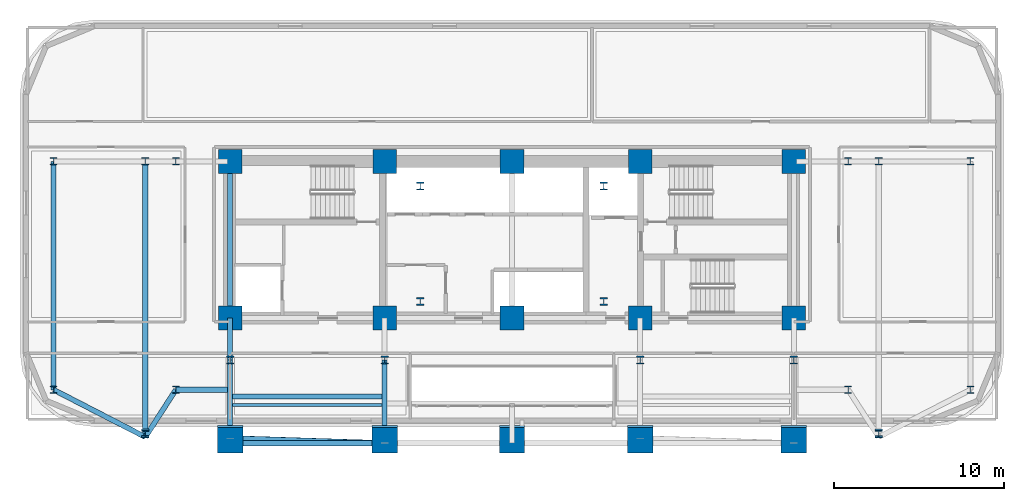
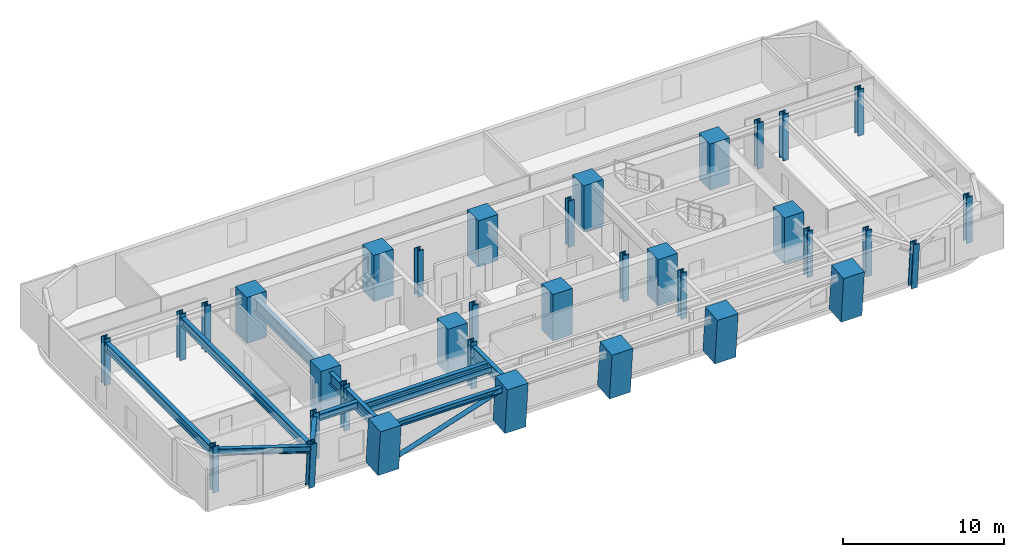
# One storey, part 1 of 14: 35 columns, 12 beams, 1 member.
"""IFC4 building model written with IfcOpenShell, lengths in metres."""

import ifcopenshell
import ifcopenshell.guid

model = None  # the IFC model being written
_history = None  # IfcOwnerHistory: only IFC2X3 demands one
_inside = {}  # id of a spatial element -> (the spatial element, [elements in it])
_under = {}  # id of a project, library or spatial element -> (it, [spatial elements below it])
_declared = {}  # id of a project -> (the project, [libraries it declares])
_typed = {}  # id of a type object -> (the type object, [elements of that type])
_made_of = {}  # id of a material, layer set ... -> (it, [elements and type objects made of it])


def new_model(schema):
    """Start an empty IFC model of exactly this schema.

    Asked for "IFC4X3", IfcOpenShell would pick the latest addendum, in which some entities
    have other attributes; the version numbers below select the first issue.
    IFC2X3 requires an IfcOwnerHistory on every rooted entity: one is made here for all.
    """
    global model, _history
    if schema == "IFC4X3":
        model = ifcopenshell.file(schema_version=(4, 3, 0, 0))
    else:
        model = ifcopenshell.file(schema=schema)
    _inside.clear()
    _under.clear()
    _declared.clear()
    _typed.clear()
    _made_of.clear()
    _history = None
    if model.schema == "IFC2X3":
        org = make("IfcOrganization", Name="unknown")
        user = make(
            "IfcPersonAndOrganization",
            ThePerson=make("IfcPerson", FamilyName="unknown"),
            TheOrganization=org,
        )
        app = make(
            "IfcApplication",
            ApplicationDeveloper=org,
            Version="unknown",
            ApplicationFullName="unknown",
            ApplicationIdentifier="unknown",
        )
        _history = make(
            "IfcOwnerHistory",
            OwningUser=user,
            OwningApplication=app,
            ChangeAction="ADDED",
            CreationDate=0,
        )
    return model


def make(cls, **values):
    """One entity of the class cls with the attributes given. An attribute that is None is left unset."""
    return model.create_entity(
        cls, **{name: value for name, value in values.items() if value is not None}
    )


def rooted(cls, **values):
    """An entity with a GlobalId (a new one), such as an element, a storey or a relation."""
    return make(cls, GlobalId=ifcopenshell.guid.new(), OwnerHistory=_history, **values)


def si_unit(unit_type, name, prefix=None):
    """IfcSIUnit, for example si_unit("LENGTHUNIT", "METRE", prefix="MILLI")."""
    return make("IfcSIUnit", UnitType=unit_type, Prefix=prefix, Name=name)


def assignment(units):
    """IfcUnitAssignment: the units of a project."""
    return None if units is None else make("IfcUnitAssignment", Units=units)


def point(xyz):
    """IfcCartesianPoint."""
    return None if xyz is None else make("IfcCartesianPoint", Coordinates=xyz)


def direction(xyz):
    """IfcDirection."""
    return None if xyz is None else make("IfcDirection", DirectionRatios=xyz)


def frame(location, z_axis=None, x_axis=None):
    """IfcAxis2Placement3D, a coordinate frame: its origin and axes. An axis left out is left unset."""
    return make(
        "IfcAxis2Placement3D",
        Location=point(location),
        Axis=direction(z_axis),
        RefDirection=direction(x_axis),
    )


def frame_2d(location, x_axis=None):
    """IfcAxis2Placement2D, a coordinate frame in the plane: its origin and x axis."""
    return make(
        "IfcAxis2Placement2D", Location=point(location), RefDirection=direction(x_axis)
    )


def origin():
    """The frame at (0, 0, 0) with its axes left unset."""
    return frame((0.0, 0.0, 0.0))


def origin_2d():
    """The frame at (0, 0) in the plane with its x axis left unset."""
    return frame_2d((0.0, 0.0))


def place(relative_to, where):
    """IfcLocalPlacement: puts the frame where relative to a parent placement (None: the world)."""
    return make(
        "IfcLocalPlacement", PlacementRelTo=relative_to, RelativePlacement=where
    )


def context(
    kind, dimensions, precision=None, world=None, true_north=None, identifier=None
):
    """IfcGeometricRepresentationContext, for example the 3D "Model" context."""
    return make(
        "IfcGeometricRepresentationContext",
        ContextIdentifier=identifier,
        ContextType=kind,
        CoordinateSpaceDimension=dimensions,
        Precision=precision,
        WorldCoordinateSystem=world,
        TrueNorth=true_north,
    )


def subcontext(parent, identifier, kind, view, scale=None):
    """IfcGeometricRepresentationSubContext, for example "Body" below "Model"."""
    return make(
        "IfcGeometricRepresentationSubContext",
        ContextIdentifier=identifier,
        ContextType=kind,
        ParentContext=parent,
        TargetScale=scale,
        TargetView=view,
    )


def project(units=None, contexts=None):
    """IfcProject with its units and contexts."""
    return rooted(
        "IfcProject",
        Name="project",
        RepresentationContexts=contexts,
        UnitsInContext=assignment(units),
    )


def spatial(cls, under=None, at=None, **own):
    """A site, building, storey or space (cls), placed at a placement, below another one or the project."""
    s = rooted(cls, ObjectPlacement=at, **own)
    if under is not None:
        _under.setdefault(under.id(), (under, []))[1].append(s)
    return s


def profile(cls, at=None, kind="AREA", **sizes):
    """A parametric profile (cls). Its sizes go by their IFC names, for example OverallWidth=200.0."""
    return make(cls, ProfileType=kind, Position=at, **sizes)


def rectangle(**sizes):
    """IfcRectangleProfileDef."""
    return profile("IfcRectangleProfileDef", **sizes)


def hollow_circle(**sizes):
    """IfcCircleHollowProfileDef."""
    return profile("IfcCircleHollowProfileDef", **sizes)


def i_section(**sizes):
    """IfcIShapeProfileDef."""
    return profile("IfcIShapeProfileDef", **sizes)


def extrude(swept, where, along, depth):
    """IfcExtrudedAreaSolid: the profile swept, set in the frame where, extruded along a direction by depth."""
    return make(
        "IfcExtrudedAreaSolid",
        SweptArea=swept,
        Position=where,
        ExtrudedDirection=direction(along),
        Depth=depth,
    )


def shape(context_of_items, identifier, shape_type, items):
    """IfcShapeRepresentation: the items that make up one representation, for example the "Body"."""
    return make(
        "IfcShapeRepresentation",
        ContextOfItems=context_of_items,
        RepresentationIdentifier=identifier,
        RepresentationType=shape_type,
        Items=items,
    )


def material(Name=None, Category=None):
    """IfcMaterial."""
    return make("IfcMaterial", Name=Name, Category=Category)


def material_profile(
    of_material, cross_section, Name=None, Category=None, Priority=None
):
    """IfcMaterialProfile: a cross section and its material."""
    return make(
        "IfcMaterialProfile",
        Name=Name,
        Material=of_material,
        Profile=cross_section,
        Priority=Priority,
        Category=Category,
    )


def profile_set(profiles, Name=None, composite=None):
    """IfcMaterialProfileSet."""
    return make(
        "IfcMaterialProfileSet",
        Name=Name,
        MaterialProfiles=profiles,
        CompositeProfile=composite,
    )


def made_of(thing, what):
    """Note that an element or type object is made of a material, layer set ...; save() writes the relation."""
    if what is not None:
        _made_of.setdefault(what.id(), (what, []))[1].append(thing)
    return thing


def type_object(cls, material=None, **own):
    """A type object (cls), such as IfcWallType, which elements share."""
    return made_of(rooted(cls, **own), material)


def element(
    cls,
    number,
    at=None,
    inside=None,
    cuts=None,
    type_object=None,
    material=None,
    context=None,
    identifier="Body",
    shape_type=None,
    held_by="IfcProductDefinitionShape",
    body=None,
    shapes=None,
    **own,
):
    """One element of the class cls, such as IfcWall. Its Tag is "e" and its number.

    at: its placement. inside: the storey or other place that contains it. cuts: it is an
    opening in that element (IfcRelVoidsElement). A single representation is given by context,
    identifier, shape_type and body (its items); several are given by shapes. held_by: the class
    of the entity that holds the representations. save() writes the other relations.
    """
    e = rooted(cls, Tag="e%d" % number, ObjectPlacement=at, **own)
    if body is not None:
        shapes = [shape(context, identifier, shape_type, body)]
    if shapes is not None:
        e.Representation = make(held_by, Representations=shapes)
    if inside is not None:
        _inside.setdefault(inside.id(), (inside, []))[1].append(e)
    if cuts is not None:
        rooted(
            "IfcRelVoidsElement", RelatingBuildingElement=cuts, RelatedOpeningElement=e
        )
    if type_object is not None:
        _typed.setdefault(type_object.id(), (type_object, []))[1].append(e)
    return made_of(e, material)


def aggregate(whole, parts):
    """IfcRelAggregates: a whole, such as a stair, and the parts it consists of."""
    return rooted("IfcRelAggregates", RelatingObject=whole, RelatedObjects=parts)


def save(model, path):
    """Write the relations noted so far, then the file.

    IfcRelAggregates (storeys below a building ...), IfcRelContainedInSpatialStructure (elements
    in a storey), IfcRelDefinesByType, IfcRelAssociatesMaterial and IfcRelDeclares: one each for
    every whole, place, type object, material and project.
    """
    for whole, parts in _under.values():
        aggregate(whole, parts)
    for where, things in _inside.values():
        rooted(
            "IfcRelContainedInSpatialStructure",
            RelatedElements=things,
            RelatingStructure=where,
        )
    for kind, things in _typed.values():
        rooted("IfcRelDefinesByType", RelatedObjects=things, RelatingType=kind)
    for what, things in _made_of.values():
        rooted("IfcRelAssociatesMaterial", RelatedObjects=things, RelatingMaterial=what)
    for by, libraries in _declared.values():
        rooted("IfcRelDeclares", RelatingContext=by, RelatedDefinitions=libraries)
    model.write(path)


model = new_model("IFC4")

# Units and contexts
model_context = context("Model", 3, precision=1e-05, world=origin(), true_north=direction((0.0, 1.0)))
body_context = subcontext(model_context, "Body", "Model", "MODEL_VIEW")
ifc_project = project(units=[si_unit("LENGTHUNIT", "METRE"), si_unit("AREAUNIT", "SQUARE_METRE"), si_unit("VOLUMEUNIT", "CUBIC_METRE"), si_unit("PLANEANGLEUNIT", "RADIAN"), si_unit("MASSUNIT", "GRAM", prefix="KILO")], contexts=[model_context])

# Site, building, storey
site_placement = place(None, origin())
site = spatial("IfcSite", under=ifc_project, at=site_placement, CompositionType="ELEMENT")
building_placement = place(site_placement, origin())
building = spatial("IfcBuilding", under=site, at=building_placement, Name="Zarnavel Station Tower", CompositionType="ELEMENT")
storey_placement = place(building_placement, frame((0.0, 0.0, 60.5)))
storey = spatial("IfcBuildingStorey", under=building, at=storey_placement, Name="L16", CompositionType="ELEMENT", Elevation=60.5)

# Columns
ifc_material_1 = material(Name="Steel S460M", Category="steel")
ifc_material_profile_1 = material_profile(ifc_material_1, i_section(OverallWidth=0.424072265625, OverallDepth=0.449951171875, WebThickness=0.041015625, FlangeThickness=0.06494140625, FilletRadius=0.014892578125, at=origin_2d()), Name="HD400x509")
ifc_profile_set_1 = profile_set([ifc_material_profile_1], Name="Steel S460M")
column_type_1 = type_object("IfcColumnType", Name="EC_HD509", PredefinedType="COLUMN", material=ifc_profile_set_1)
for number, where, z_axis, x_axis, name in (
    (1, (1.800048828125, 23.60009765625, 0.0), (0.0, 0.0, 1.0), (1.0, 0.0, 0.0), "L16 Outer Wing South Column 1"),
    (2, (1.800048828125, 37.050048828125, 0.0), (0.0, 0.0, 1.0), (1.0, 0.0, 0.0), "L16 Outer Wing North Column 1"),
):
    element("IfcColumn", number, at=place(storey_placement, frame(where, z_axis=z_axis, x_axis=x_axis)), inside=storey, type_object=column_type_1, Name=name, PredefinedType="COLUMN", context=body_context, shape_type="SweptSolid", body=[
        extrude(i_section(OverallWidth=0.424072265625, OverallDepth=0.449951171875, WebThickness=0.041015625, FlangeThickness=0.06494140625, FilletRadius=0.014892578125, at=origin_2d()), origin(), (0.0, 0.0, 1.0), 3.5),
    ])
for number, where, z_axis, x_axis, name in (
    (3, (7.199951171875, 21.0751953125, 0.0), (0.0, -0.079822602517, 0.996809085095), (1.0, 0.0, 0.0), "L16 Raked Wing Column 2"),
    (4, (50.39990234375, 21.0751953125, 0.0), (0.0, -0.079822602517, 0.996809085095), (1.0, 0.0, 0.0), "L16 Raked Wing Column 3"),
):
    element("IfcColumn", number, at=place(storey_placement, frame(where, z_axis=z_axis, x_axis=x_axis)), inside=storey, type_object=column_type_1, Name=name, PredefinedType="COLUMN", context=body_context, shape_type="SweptSolid", body=[
        extrude(i_section(OverallWidth=0.424072265625, OverallDepth=0.449951171875, WebThickness=0.041015625, FlangeThickness=0.06494140625, FilletRadius=0.014892578125, at=origin_2d()), origin(), (0.0, 0.0, 1.0), 3.51123046875),
    ])
for number, where, z_axis, x_axis, name in (
    (5, (55.800048828125, 23.60009765625, 0.0), (0.0, 0.0, 1.0), (1.0, 0.0, 0.0), "L16 Outer Wing South Column 4"),
    (6, (55.800048828125, 37.050048828125, 0.0), (0.0, 0.0, 1.0), (1.0, 0.0, 0.0), "L16 Outer Wing North Column 4"),
):
    element("IfcColumn", number, at=place(storey_placement, frame(where, z_axis=z_axis, x_axis=x_axis)), inside=storey, type_object=column_type_1, Name=name, PredefinedType="COLUMN", context=body_context, shape_type="SweptSolid", body=[
        extrude(i_section(OverallWidth=0.424072265625, OverallDepth=0.449951171875, WebThickness=0.041015625, FlangeThickness=0.06494140625, FilletRadius=0.014892578125, at=origin_2d()), origin(), (0.0, 0.0, 1.0), 3.5),
    ])
ifc_material_2 = material(Name="Steel S460M", Category="steel")
ifc_material_profile_2 = material_profile(ifc_material_2, i_section(OverallWidth=0.424072265625, OverallDepth=0.449951171875, WebThickness=0.041015625, FlangeThickness=0.06494140625, FilletRadius=0.014892578125, at=origin_2d()), Name="HD400x509")
ifc_profile_set_2 = profile_set([ifc_material_profile_2], Name="Steel S460M")
column_type_2 = type_object("IfcColumnType", Name="IC_HD509", PredefinedType="COLUMN", material=ifc_profile_set_2)
for number, where, z_axis, x_axis, name in (
    (7, (23.39990234375, 28.800048828125, 0.0), (0.0, 0.0, 1.0), (1.0, 0.0, 0.0), "L16 Mast Spine Column 1"),
    (8, (34.199951171875, 28.800048828125, 0.0), (0.0, 0.0, 1.0), (1.0, 0.0, 0.0), "L16 Mast Spine Column 2"),
    (9, (34.199951171875, 35.60009765625, 0.0), (0.0, 0.0, 1.0), (1.0, 0.0, 0.0), "L16 Mast Spine Column 3"),
    (10, (23.39990234375, 35.60009765625, 0.0), (0.0, 0.0, 1.0), (1.0, 0.0, 0.0), "L16 Mast Spine Column 4"),
    (11, (12.199951171875, 25.35009765625, 0.0), (0.0, 0.0, 1.0), (1.0, 0.0, 0.0), "L16 Inner Spine Column 1"),
    (12, (21.300048828125, 25.35009765625, 0.0), (0.0, 0.0, 1.0), (1.0, 0.0, 0.0), "L16 Inner Spine Column 2"),
    (13, (36.35009765625, 25.35009765625, 0.0), (0.0, 0.0, 1.0), (1.0, 0.0, 0.0), "L16 Inner Spine Column 4"),
    (14, (45.39990234375, 25.35009765625, 0.0), (0.0, 0.0, 1.0), (1.0, 0.0, 0.0), "L16 Inner Spine Column 5"),
    (15, (9.0, 23.60009765625, 0.0), (0.0, 0.0, 1.0), (1.0, 0.0, 0.0), "L16 Inner Wing Spine Column 1-1"),
    (16, (9.0, 37.050048828125, 0.0), (0.0, 0.0, 1.0), (1.0, 0.0, 0.0), "L16 Inner Wing Spine Column 1-2"),
    (17, (48.60009765625, 23.60009765625, 0.0), (0.0, 0.0, 1.0), (1.0, 0.0, 0.0), "L16 Inner Wing Spine Column 2-1"),
    (18, (48.60009765625, 37.050048828125, 0.0), (0.0, 0.0, 1.0), (1.0, 0.0, 0.0), "L16 Inner Wing Spine Column 2-2"),
    (19, (7.199951171875, 37.050048828125, 0.0), (0.0, 0.0, 1.0), (1.0, 0.0, 0.0), "L16 Outer Wing North Column 2"),
    (20, (50.39990234375, 37.050048828125, 0.0), (0.0, 0.0, 1.0), (1.0, 0.0, 0.0), "L16 Outer Wing North Column 3"),
):
    element("IfcColumn", number, at=place(storey_placement, frame(where, z_axis=z_axis, x_axis=x_axis)), inside=storey, type_object=column_type_2, Name=name, PredefinedType="COLUMN", context=body_context, shape_type="SweptSolid", body=[
        extrude(i_section(OverallWidth=0.424072265625, OverallDepth=0.449951171875, WebThickness=0.041015625, FlangeThickness=0.06494140625, FilletRadius=0.014892578125, at=origin_2d()), origin(), (0.0, 0.0, 1.0), 3.5),
    ])
ifc_material_3 = material(Name="Concrete C60/75", Category="concrete")
ifc_material_profile_3 = material_profile(ifc_material_3, rectangle(XDim=1.39990234375, YDim=1.39990234375, at=origin_2d()), Name="RC1400x1400")
ifc_profile_set_3 = profile_set([ifc_material_profile_3], Name="Concrete C60/75")
column_type_3 = type_object("IfcColumnType", Name="IC_RC1400", PredefinedType="COLUMN", material=ifc_profile_set_3)
for number, where, z_axis, x_axis, name in (
    (21, (12.199951171875, 27.820068359375, 0.0), (0.0, 0.0, 1.0), (1.0, 0.0, 0.0), "L16 Core Spine Column 1-1"),
    (22, (12.199951171875, 37.050048828125, 0.0), (0.0, 0.0, 1.0), (1.0, 0.0, 0.0), "L16 Core Spine Column 1-2"),
    (23, (21.300048828125, 27.820068359375, 0.0), (0.0, 0.0, 1.0), (1.0, 0.0, 0.0), "L16 Core Spine Column 2-1"),
    (24, (21.300048828125, 37.050048828125, 0.0), (0.0, 0.0, 1.0), (1.0, 0.0, 0.0), "L16 Core Spine Column 2-2"),
    (25, (28.800048828125, 27.820068359375, 0.0), (0.0, 0.0, 1.0), (1.0, 0.0, 0.0), "L16 Core Spine Column 3-1"),
    (26, (28.800048828125, 37.050048828125, 0.0), (0.0, 0.0, 1.0), (1.0, 0.0, 0.0), "L16 Core Spine Column 3-2"),
    (27, (36.35009765625, 27.820068359375, 0.0), (0.0, 0.0, 1.0), (1.0, 0.0, 0.0), "L16 Core Spine Column 4-1"),
    (28, (36.35009765625, 37.050048828125, 0.0), (0.0, 0.0, 1.0), (1.0, 0.0, 0.0), "L16 Core Spine Column 4-2"),
    (29, (45.39990234375, 27.820068359375, 0.0), (0.0, 0.0, 1.0), (1.0, 0.0, 0.0), "L16 Core Spine Column 5-1"),
    (30, (45.39990234375, 37.050048828125, 0.0), (0.0, 0.0, 1.0), (1.0, 0.0, 0.0), "L16 Core Spine Column 5-2"),
):
    element("IfcColumn", number, at=place(storey_placement, frame(where, z_axis=z_axis, x_axis=x_axis)), inside=storey, type_object=column_type_3, Name=name, PredefinedType="COLUMN", context=body_context, shape_type="SweptSolid", body=[
        extrude(rectangle(XDim=1.39990234375, YDim=1.39990234375, at=origin_2d()), origin(), (0.0, 0.0, 1.0), 3.5),
    ])
ifc_material_4 = material(Name="Concrete C60/75", Category="concrete")
ifc_material_profile_4 = material_profile(ifc_material_4, rectangle(XDim=1.5, YDim=1.5, at=origin_2d()), Name="RC1500x1500")
ifc_profile_set_4 = profile_set([ifc_material_profile_4], Name="Concrete C60/75")
column_type_4 = type_object("IfcColumnType", Name="MC_RC1500", PredefinedType="COLUMN", material=ifc_profile_set_4)
for number, where, z_axis, x_axis, name in (
    (31, (12.199951171875, 20.74560546875, 0.0), (0.0, -0.090310252801, 0.995913680114), (1.0, 0.0, 0.0), "L16 Raked South Mega-Column 1"),
    (32, (21.300048828125, 20.74560546875, 0.0), (0.0, -0.090310252801, 0.995913680114), (1.0, 0.0, 0.0), "L16 Raked South Mega-Column 2"),
    (33, (28.800048828125, 20.74560546875, 0.0), (0.0, -0.090310252801, 0.995913680114), (1.0, 0.0, 0.0), "L16 Raked South Mega-Column 3"),
    (34, (36.35009765625, 20.74560546875, 0.0), (0.0, -0.090310252801, 0.995913680114), (1.0, 0.0, 0.0), "L16 Raked South Mega-Column 4"),
    (35, (45.39990234375, 20.74560546875, 0.0), (0.0, -0.090310252801, 0.995913680114), (1.0, 0.0, 0.0), "L16 Raked South Mega-Column 5"),
):
    element("IfcColumn", number, at=place(storey_placement, frame(where, z_axis=z_axis, x_axis=x_axis)), inside=storey, type_object=column_type_4, Name=name, PredefinedType="COLUMN", context=body_context, shape_type="SweptSolid", body=[
        extrude(rectangle(XDim=1.5, YDim=1.5, at=origin_2d()), origin(), (0.0, 0.0, 1.0), 3.514404296875),
    ])

# Member
ifc_material_5 = material(Name="Steel S355J2", Category="steel")
ifc_material_profile_5 = material_profile(ifc_material_5, hollow_circle(Radius=0.161865234375, WallThickness=0.012451171875, at=origin_2d()), Name="CHS323.9x12.5")
ifc_profile_set_5 = profile_set([ifc_material_profile_5], Name="Steel S355J2")
member_type = type_object("IfcMemberType", Name="DB_EXT_CHS324", PredefinedType="BRACE", material=ifc_profile_set_5)
member_placement = place(storey_placement, frame((12.199951171875, 20.74560546875, 0.0), z_axis=(0.941635675338, -0.030390827854, 0.335259082669), x_axis=(0.032257711549, 0.999479584607, 0.0)))
element("IfcMember", 36, at=member_placement, inside=storey, type_object=member_type, Name="L16 Persian Exterior Diagonal Frame Brace 1", PredefinedType="BRACE", context=body_context, shape_type="SweptSolid", body=[
    extrude(hollow_circle(Radius=0.161865234375, WallThickness=0.012451171875, at=origin_2d()), origin(), (0.0, 0.0, 1.0), 9.6640625),
])

# Beams
ifc_material_6 = material(Name="Steel S355J2", Category="steel")
ifc_material_profile_6 = material_profile(ifc_material_6, i_section(OverallWidth=0.300048828125, OverallDepth=0.39990234375, WebThickness=0.013427734375, FlangeThickness=0.02392578125, FilletRadius=0.027099609375, at=origin_2d()), Name="HEB400")
ifc_profile_set_6 = profile_set([ifc_material_profile_6], Name="Steel S355J2")
beam_type_1 = type_object("IfcBeamType", Name="EB_HEB400", PredefinedType="SPANDREL", material=ifc_profile_set_6)
beam_1_placement = place(storey_placement, frame((12.199951171875, 20.451904296875, 3.0400390625), z_axis=(1.0, 0.0, 0.0), x_axis=(0.0, 1.0, 0.0)))
element("IfcBeam", 37, at=beam_1_placement, inside=storey, type_object=beam_type_1, Name="L16 South Raked Spandrel 1", PredefinedType="SPANDREL", context=body_context, shape_type="SweptSolid", body=[
    extrude(i_section(OverallWidth=0.300048828125, OverallDepth=0.39990234375, WebThickness=0.013427734375, FlangeThickness=0.02392578125, FilletRadius=0.027099609375, at=origin_2d()), origin(), (0.0, 0.0, 1.0), 9.10009765625),
])
ifc_material_7 = material(Name="Steel S355J2", Category="steel")
ifc_material_profile_7 = material_profile(ifc_material_7, i_section(OverallWidth=0.300048828125, OverallDepth=0.43994140625, WebThickness=0.011474609375, FlangeThickness=0.02099609375, FilletRadius=0.027099609375, at=origin_2d()), Name="HEA450")
ifc_profile_set_7 = profile_set([ifc_material_profile_7], Name="Steel S355J2")
beam_type_2 = type_object("IfcBeamType", Name="FB_HEA450", PredefinedType="BEAM", material=ifc_profile_set_7)
beam_2_placement = place(storey_placement, frame((12.344970703125, 23.20068359375, 3.02001953125), z_axis=(1.0, 0.0, 0.0), x_axis=(0.0, 1.0, 0.0)))
element("IfcBeam", 38, at=beam_2_placement, inside=storey, type_object=beam_type_2, Name="L16 West Bay Beam 2", PredefinedType="BEAM", context=body_context, shape_type="SweptSolid", body=[
    extrude(i_section(OverallWidth=0.300048828125, OverallDepth=0.43994140625, WebThickness=0.011474609375, FlangeThickness=0.02099609375, FilletRadius=0.027099609375, at=origin_2d()), origin(), (0.0, 0.0, 1.0), 8.81005859375),
])
ifc_material_8 = material(Name="Steel S355J2", Category="steel")
ifc_material_profile_8 = material_profile(ifc_material_8, i_section(OverallWidth=0.18994140625, OverallDepth=0.449951171875, WebThickness=0.009521484375, FlangeThickness=0.0146484375, FilletRadius=0.02099609375, at=origin_2d()), Name="IPE450")
ifc_profile_set_8 = profile_set([ifc_material_profile_8], Name="Steel S355J2")
beam_type_3 = type_object("IfcBeamType", Name="FB_IPE450", PredefinedType="BEAM", material=ifc_profile_set_8)
beam_3_placement = place(storey_placement, frame((12.344970703125, 22.701416015625, 3.014892578125), z_axis=(1.0, 0.0, 0.0), x_axis=(0.0, 1.0, 0.0)))
element("IfcBeam", 39, at=beam_3_placement, inside=storey, type_object=beam_type_3, Name="L16 West Bay Beam 1", PredefinedType="BEAM", context=body_context, shape_type="SweptSolid", body=[
    extrude(i_section(OverallWidth=0.18994140625, OverallDepth=0.449951171875, WebThickness=0.009521484375, FlangeThickness=0.0146484375, FilletRadius=0.02099609375, at=origin_2d()), origin(), (0.0, 0.0, 1.0), 8.81005859375),
])
ifc_material_9 = material(Name="Steel S355J2", Category="steel")
ifc_material_profile_9 = material_profile(ifc_material_9, i_section(OverallWidth=0.300048828125, OverallDepth=0.5, WebThickness=0.014404296875, FlangeThickness=0.028076171875, FilletRadius=0.027099609375, at=origin_2d()), Name="HEB500")
ifc_profile_set_9 = profile_set([ifc_material_profile_9], Name="Steel S355J2")
beam_type_4 = type_object("IfcBeamType", Name="FG_HEB500", PredefinedType="USERDEFINED", material=ifc_profile_set_9)
beam_4_placement = place(storey_placement, frame((1.800048828125, 23.60009765625, 2.989990234375), z_axis=(0.888796517723, -0.458302029326, 0.0), x_axis=(0.458302029326, 0.888796517723, 0.0)))
element("IfcBeam", 40, at=beam_4_placement, inside=storey, type_object=beam_type_4, Name="L16 West Wing South Tie 1", ObjectType="GIRDER", PredefinedType="USERDEFINED", context=body_context, shape_type="SweptSolid", body=[
    extrude(i_section(OverallWidth=0.300048828125, OverallDepth=0.5, WebThickness=0.014404296875, FlangeThickness=0.028076171875, FilletRadius=0.027099609375, at=origin_2d()), origin(), (0.0, 0.0, 1.0), 6.075439453125),
])
beam_5_placement = place(storey_placement, frame((7.199951171875, 20.815673828125, 2.989990234375), z_axis=(0.542903176325, 0.839795297163, 0.0), x_axis=(-0.839795297163, 0.542903176325, 0.0)))
element("IfcBeam", 41, at=beam_5_placement, inside=storey, type_object=beam_type_4, Name="L16 West Wing South Tie 2", ObjectType="GIRDER", PredefinedType="USERDEFINED", context=body_context, shape_type="SweptSolid", body=[
    extrude(i_section(OverallWidth=0.300048828125, OverallDepth=0.5, WebThickness=0.014404296875, FlangeThickness=0.028076171875, FilletRadius=0.027099609375, at=origin_2d()), origin(), (0.0, 0.0, 1.0), 3.315673828125),
])
beam_6_placement = place(storey_placement, frame((9.0, 23.60009765625, 2.989990234375), z_axis=(1.0, 0.0, 0.0), x_axis=(0.0, 1.0, 0.0)))
element("IfcBeam", 42, at=beam_6_placement, inside=storey, type_object=beam_type_4, Name="L16 West Wing South Tie 3", ObjectType="GIRDER", PredefinedType="USERDEFINED", context=body_context, shape_type="SweptSolid", body=[
    extrude(i_section(OverallWidth=0.300048828125, OverallDepth=0.5, WebThickness=0.014404296875, FlangeThickness=0.028076171875, FilletRadius=0.027099609375, at=origin_2d()), origin(), (0.0, 0.0, 1.0), 3.054931640625),
])
ifc_material_10 = material(Name="Steel S355J2", Category="steel")
ifc_material_profile_10 = material_profile(ifc_material_10, i_section(OverallWidth=0.300048828125, OverallDepth=0.64990234375, WebThickness=0.01611328125, FlangeThickness=0.031005859375, FilletRadius=0.027099609375, at=origin_2d()), Name="HEB650")
ifc_profile_set_10 = profile_set([ifc_material_profile_10], Name="Steel S355J2")
beam_type_5 = type_object("IfcBeamType", Name="FG_HEB650", PredefinedType="USERDEFINED", material=ifc_profile_set_10)
beam_7_placement = place(storey_placement, frame((1.800048828125, 23.60009765625, 2.9150390625), z_axis=(0.0, 1.0, 0.0), x_axis=(-1.0, 0.0, 0.0)))
element("IfcBeam", 43, at=beam_7_placement, inside=storey, type_object=beam_type_5, Name="L16 Wing NS Girder 1", ObjectType="GIRDER", PredefinedType="USERDEFINED", context=body_context, shape_type="SweptSolid", body=[
    extrude(i_section(OverallWidth=0.300048828125, OverallDepth=0.64990234375, WebThickness=0.01611328125, FlangeThickness=0.031005859375, FilletRadius=0.027099609375, at=origin_2d()), origin(), (0.0, 0.0, 1.0), 13.449951171875),
])
beam_8_placement = place(storey_placement, frame((7.199951171875, 20.815673828125, 2.9150390625), z_axis=(0.0, 1.0, 0.0), x_axis=(-1.0, 0.0, 0.0)))
element("IfcBeam", 44, at=beam_8_placement, inside=storey, type_object=beam_type_5, Name="L16 Wing NS Girder 2", ObjectType="GIRDER", PredefinedType="USERDEFINED", context=body_context, shape_type="SweptSolid", body=[
    extrude(i_section(OverallWidth=0.300048828125, OverallDepth=0.64990234375, WebThickness=0.01611328125, FlangeThickness=0.031005859375, FilletRadius=0.027099609375, at=origin_2d()), origin(), (0.0, 0.0, 1.0), 16.234375),
])
ifc_material_11 = material(Name="Steel S460M", Category="steel")
ifc_material_profile_11 = material_profile(ifc_material_11, i_section(OverallWidth=0.302001953125, OverallDepth=1.008056640625, WebThickness=0.02099609375, FlangeThickness=0.0400390625, FilletRadius=0.030029296875, at=origin_2d()), Name="HEM1000")
ifc_profile_set_11 = profile_set([ifc_material_profile_11], Name="Steel S460M")
beam_type_6 = type_object("IfcBeamType", Name="TG_HEM1000", PredefinedType="USERDEFINED", material=ifc_profile_set_11)
beam_9_placement = place(storey_placement, frame((12.199951171875, 27.820068359375, 2.736083984375), z_axis=(0.0, 1.0, 0.0), x_axis=(-1.0, 0.0, 0.0)))
element("IfcBeam", 45, at=beam_9_placement, inside=storey, type_object=beam_type_6, Name="L16 Core Spine Coupling Girder 1", ObjectType="GIRDER", PredefinedType="USERDEFINED", context=body_context, shape_type="SweptSolid", body=[
    extrude(i_section(OverallWidth=0.302001953125, OverallDepth=1.008056640625, WebThickness=0.02099609375, FlangeThickness=0.0400390625, FilletRadius=0.030029296875, at=origin_2d()), origin(), (0.0, 0.0, 1.0), 9.22998046875),
])
ifc_material_12 = material(Name="Steel S460M", Category="steel")
ifc_material_profile_12 = material_profile(ifc_material_12, i_section(OverallWidth=0.302001953125, OverallDepth=0.909912109375, WebThickness=0.02099609375, FlangeThickness=0.0400390625, FilletRadius=0.030029296875, at=origin_2d()), Name="HEM900")
ifc_profile_set_12 = profile_set([ifc_material_profile_12], Name="Steel S460M")
beam_type_7 = type_object("IfcBeamType", Name="TG_HEM900", PredefinedType="USERDEFINED", material=ifc_profile_set_12)
beam_10_placement = place(storey_placement, frame((12.199951171875, 20.451904296875, 2.784912109375), z_axis=(0.0, 1.0, 0.0), x_axis=(-1.0, 0.0, 0.0)))
element("IfcBeam", 46, at=beam_10_placement, inside=storey, type_object=beam_type_7, Name="L16 South-Zone NS Girder 1", ObjectType="GIRDER", PredefinedType="USERDEFINED", context=body_context, shape_type="SweptSolid", body=[
    extrude(i_section(OverallWidth=0.302001953125, OverallDepth=0.909912109375, WebThickness=0.02099609375, FlangeThickness=0.0400390625, FilletRadius=0.030029296875, at=origin_2d()), origin(), (0.0, 0.0, 1.0), 4.898193359375),
])
beam_11_placement = place(storey_placement, frame((12.199951171875, 25.35009765625, 2.784912109375), z_axis=(0.0, 1.0, 0.0), x_axis=(-1.0, 0.0, 0.0)))
element("IfcBeam", 47, at=beam_11_placement, inside=storey, type_object=beam_type_7, Name="L16 Inner-Zone NS Girder 1", ObjectType="GIRDER", PredefinedType="USERDEFINED", context=body_context, shape_type="SweptSolid", body=[
    extrude(i_section(OverallWidth=0.302001953125, OverallDepth=0.909912109375, WebThickness=0.02099609375, FlangeThickness=0.0400390625, FilletRadius=0.030029296875, at=origin_2d()), origin(), (0.0, 0.0, 1.0), 2.469970703125),
])
beam_12_placement = place(storey_placement, frame((21.300048828125, 20.451904296875, 2.784912109375), z_axis=(0.0, 1.0, 0.0), x_axis=(-1.0, 0.0, 0.0)))
element("IfcBeam", 48, at=beam_12_placement, inside=storey, type_object=beam_type_7, Name="L16 South-Zone NS Girder 2", ObjectType="GIRDER", PredefinedType="USERDEFINED", context=body_context, shape_type="SweptSolid", body=[
    extrude(i_section(OverallWidth=0.302001953125, OverallDepth=0.909912109375, WebThickness=0.02099609375, FlangeThickness=0.0400390625, FilletRadius=0.030029296875, at=origin_2d()), origin(), (0.0, 0.0, 1.0), 4.898193359375),
])

save(model, "model.ifc")
